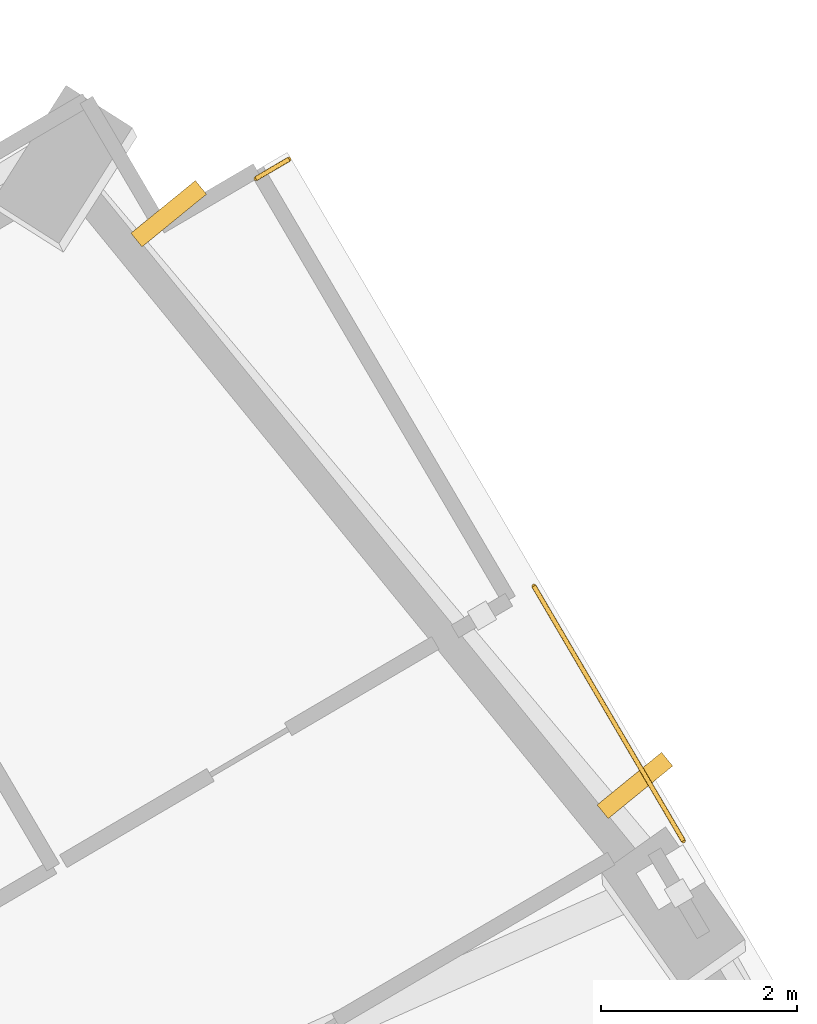
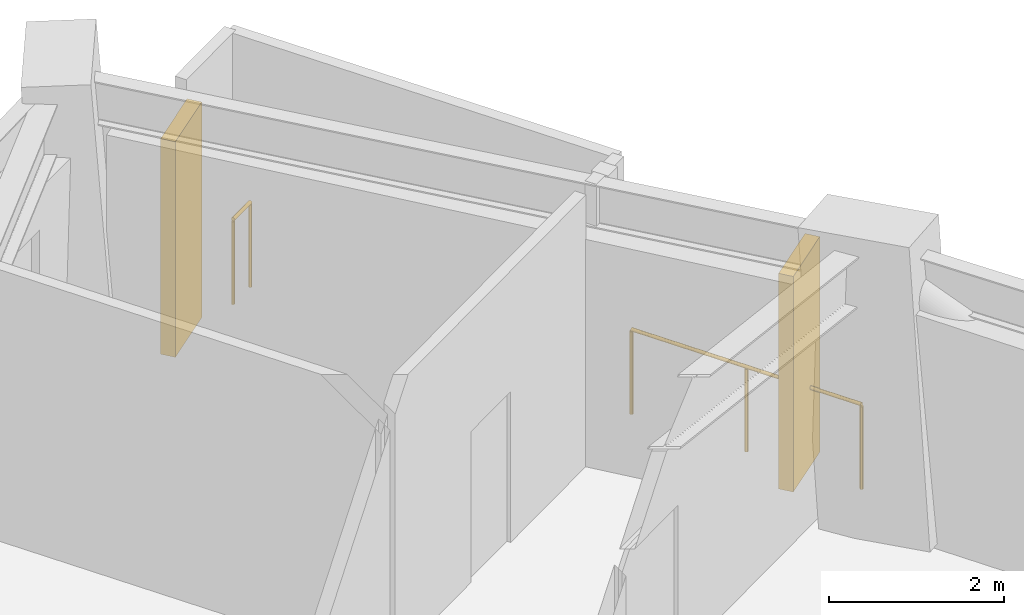
# One storey, part 12 of 12: 2 railings, 2 shading devices.
"""IFC4 building model written with IfcOpenShell, lengths in metres."""

import ifcopenshell
import ifcopenshell.guid

model = None  # the IFC model being written
_history = None  # IfcOwnerHistory: only IFC2X3 demands one
_inside = {}  # id of a spatial element -> (the spatial element, [elements in it])
_under = {}  # id of a project, library or spatial element -> (it, [spatial elements below it])
_declared = {}  # id of a project -> (the project, [libraries it declares])
_typed = {}  # id of a type object -> (the type object, [elements of that type])
_made_of = {}  # id of a material, layer set ... -> (it, [elements and type objects made of it])


def new_model(schema):
    """Start an empty IFC model of exactly this schema.

    Asked for "IFC4X3", IfcOpenShell would pick the latest addendum, in which some entities
    have other attributes; the version numbers below select the first issue.
    IFC2X3 requires an IfcOwnerHistory on every rooted entity: one is made here for all.
    """
    global model, _history
    if schema == "IFC4X3":
        model = ifcopenshell.file(schema_version=(4, 3, 0, 0))
    else:
        model = ifcopenshell.file(schema=schema)
    _inside.clear()
    _under.clear()
    _declared.clear()
    _typed.clear()
    _made_of.clear()
    _history = None
    if model.schema == "IFC2X3":
        org = make("IfcOrganization", Name="unknown")
        user = make(
            "IfcPersonAndOrganization",
            ThePerson=make("IfcPerson", FamilyName="unknown"),
            TheOrganization=org,
        )
        app = make(
            "IfcApplication",
            ApplicationDeveloper=org,
            Version="unknown",
            ApplicationFullName="unknown",
            ApplicationIdentifier="unknown",
        )
        _history = make(
            "IfcOwnerHistory",
            OwningUser=user,
            OwningApplication=app,
            ChangeAction="ADDED",
            CreationDate=0,
        )
    return model


def make(cls, **values):
    """One entity of the class cls with the attributes given. An attribute that is None is left unset."""
    return model.create_entity(
        cls, **{name: value for name, value in values.items() if value is not None}
    )


def rooted(cls, **values):
    """An entity with a GlobalId (a new one), such as an element, a storey or a relation."""
    return make(cls, GlobalId=ifcopenshell.guid.new(), OwnerHistory=_history, **values)


def si_unit(unit_type, name, prefix=None):
    """IfcSIUnit, for example si_unit("LENGTHUNIT", "METRE", prefix="MILLI")."""
    return make("IfcSIUnit", UnitType=unit_type, Prefix=prefix, Name=name)


def assignment(units):
    """IfcUnitAssignment: the units of a project."""
    return None if units is None else make("IfcUnitAssignment", Units=units)


def point(xyz):
    """IfcCartesianPoint."""
    return None if xyz is None else make("IfcCartesianPoint", Coordinates=xyz)


def direction(xyz):
    """IfcDirection."""
    return None if xyz is None else make("IfcDirection", DirectionRatios=xyz)


def frame(location, z_axis=None, x_axis=None):
    """IfcAxis2Placement3D, a coordinate frame: its origin and axes. An axis left out is left unset."""
    return make(
        "IfcAxis2Placement3D",
        Location=point(location),
        Axis=direction(z_axis),
        RefDirection=direction(x_axis),
    )


def frame_2d(location, x_axis=None):
    """IfcAxis2Placement2D, a coordinate frame in the plane: its origin and x axis."""
    return make(
        "IfcAxis2Placement2D", Location=point(location), RefDirection=direction(x_axis)
    )


def origin():
    """The frame at (0, 0, 0) with its axes left unset."""
    return frame((0.0, 0.0, 0.0))


def origin_2d():
    """The frame at (0, 0) in the plane with its x axis left unset."""
    return frame_2d((0.0, 0.0))


def place(relative_to, where):
    """IfcLocalPlacement: puts the frame where relative to a parent placement (None: the world)."""
    return make(
        "IfcLocalPlacement", PlacementRelTo=relative_to, RelativePlacement=where
    )


def context(
    kind, dimensions, precision=None, world=None, true_north=None, identifier=None
):
    """IfcGeometricRepresentationContext, for example the 3D "Model" context."""
    return make(
        "IfcGeometricRepresentationContext",
        ContextIdentifier=identifier,
        ContextType=kind,
        CoordinateSpaceDimension=dimensions,
        Precision=precision,
        WorldCoordinateSystem=world,
        TrueNorth=true_north,
    )


def subcontext(parent, identifier, kind, view, scale=None):
    """IfcGeometricRepresentationSubContext, for example "Body" below "Model"."""
    return make(
        "IfcGeometricRepresentationSubContext",
        ContextIdentifier=identifier,
        ContextType=kind,
        ParentContext=parent,
        TargetScale=scale,
        TargetView=view,
    )


def project(units=None, contexts=None):
    """IfcProject with its units and contexts."""
    return rooted(
        "IfcProject",
        Name="project",
        RepresentationContexts=contexts,
        UnitsInContext=assignment(units),
    )


def spatial(cls, under=None, at=None, **own):
    """A site, building, storey or space (cls), placed at a placement, below another one or the project."""
    s = rooted(cls, ObjectPlacement=at, **own)
    if under is not None:
        _under.setdefault(under.id(), (under, []))[1].append(s)
    return s


def profile(cls, at=None, kind="AREA", **sizes):
    """A parametric profile (cls). Its sizes go by their IFC names, for example OverallWidth=200.0."""
    return make(cls, ProfileType=kind, Position=at, **sizes)


def rectangle(**sizes):
    """IfcRectangleProfileDef."""
    return profile("IfcRectangleProfileDef", **sizes)


def circle(**sizes):
    """IfcCircleProfileDef."""
    return profile("IfcCircleProfileDef", **sizes)


def extrude(swept, where, along, depth):
    """IfcExtrudedAreaSolid: the profile swept, set in the frame where, extruded along a direction by depth."""
    return make(
        "IfcExtrudedAreaSolid",
        SweptArea=swept,
        Position=where,
        ExtrudedDirection=direction(along),
        Depth=depth,
    )


def shape(context_of_items, identifier, shape_type, items):
    """IfcShapeRepresentation: the items that make up one representation, for example the "Body"."""
    return make(
        "IfcShapeRepresentation",
        ContextOfItems=context_of_items,
        RepresentationIdentifier=identifier,
        RepresentationType=shape_type,
        Items=items,
    )


def material(Name=None, Category=None):
    """IfcMaterial."""
    return make("IfcMaterial", Name=Name, Category=Category)


def layer(
    of_material, thickness, ventilated=None, Name=None, Category=None, Priority=None
):
    """IfcMaterialLayer: one layer of a wall or slab, of a material (None: an air gap)."""
    return make(
        "IfcMaterialLayer",
        Material=of_material,
        LayerThickness=thickness,
        IsVentilated=ventilated,
        Name=Name,
        Category=Category,
        Priority=Priority,
    )


def layer_set(layers, Name=None):
    """IfcMaterialLayerSet."""
    return make("IfcMaterialLayerSet", MaterialLayers=layers, LayerSetName=Name)


def made_of(thing, what):
    """Note that an element or type object is made of a material, layer set ...; save() writes the relation."""
    if what is not None:
        _made_of.setdefault(what.id(), (what, []))[1].append(thing)
    return thing


def type_object(cls, material=None, **own):
    """A type object (cls), such as IfcWallType, which elements share."""
    return made_of(rooted(cls, **own), material)


def element(
    cls,
    number,
    at=None,
    inside=None,
    cuts=None,
    type_object=None,
    material=None,
    context=None,
    identifier="Body",
    shape_type=None,
    held_by="IfcProductDefinitionShape",
    body=None,
    shapes=None,
    **own,
):
    """One element of the class cls, such as IfcWall. Its Tag is "e" and its number.

    at: its placement. inside: the storey or other place that contains it. cuts: it is an
    opening in that element (IfcRelVoidsElement). A single representation is given by context,
    identifier, shape_type and body (its items); several are given by shapes. held_by: the class
    of the entity that holds the representations. save() writes the other relations.
    """
    e = rooted(cls, Tag="e%d" % number, ObjectPlacement=at, **own)
    if body is not None:
        shapes = [shape(context, identifier, shape_type, body)]
    if shapes is not None:
        e.Representation = make(held_by, Representations=shapes)
    if inside is not None:
        _inside.setdefault(inside.id(), (inside, []))[1].append(e)
    if cuts is not None:
        rooted(
            "IfcRelVoidsElement", RelatingBuildingElement=cuts, RelatedOpeningElement=e
        )
    if type_object is not None:
        _typed.setdefault(type_object.id(), (type_object, []))[1].append(e)
    return made_of(e, material)


def aggregate(whole, parts):
    """IfcRelAggregates: a whole, such as a stair, and the parts it consists of."""
    return rooted("IfcRelAggregates", RelatingObject=whole, RelatedObjects=parts)


def save(model, path):
    """Write the relations noted so far, then the file.

    IfcRelAggregates (storeys below a building ...), IfcRelContainedInSpatialStructure (elements
    in a storey), IfcRelDefinesByType, IfcRelAssociatesMaterial and IfcRelDeclares: one each for
    every whole, place, type object, material and project.
    """
    for whole, parts in _under.values():
        aggregate(whole, parts)
    for where, things in _inside.values():
        rooted(
            "IfcRelContainedInSpatialStructure",
            RelatedElements=things,
            RelatingStructure=where,
        )
    for kind, things in _typed.values():
        rooted("IfcRelDefinesByType", RelatedObjects=things, RelatingType=kind)
    for what, things in _made_of.values():
        rooted("IfcRelAssociatesMaterial", RelatedObjects=things, RelatingMaterial=what)
    for by, libraries in _declared.values():
        rooted("IfcRelDeclares", RelatingContext=by, RelatedDefinitions=libraries)
    model.write(path)


model = new_model("IFC4")

# Units and contexts
model_context = context("Model", 3, precision=1e-05, world=origin(), true_north=direction((0.0, 1.0)))
body_context = subcontext(model_context, "Body", "Model", "MODEL_VIEW")
ifc_project = project(units=[si_unit("LENGTHUNIT", "METRE"), si_unit("AREAUNIT", "SQUARE_METRE"), si_unit("VOLUMEUNIT", "CUBIC_METRE"), si_unit("PLANEANGLEUNIT", "RADIAN"), si_unit("MASSUNIT", "GRAM", prefix="KILO")], contexts=[model_context])

# Site, building, storey
site_placement = place(None, origin())
site = spatial("IfcSite", under=ifc_project, at=site_placement, CompositionType="ELEMENT")
building_placement = place(site_placement, origin())
building = spatial("IfcBuilding", under=site, at=building_placement, Name="Gaonmaruhae Medical Tower", CompositionType="ELEMENT")
storey_placement = place(building_placement, frame((0.0, 0.0, 153.800048828125)))
storey = spatial("IfcBuildingStorey", under=building, at=storey_placement, Name="L36", CompositionType="ELEMENT", Elevation=153.800048828125)

# Railings
ifc_material_1 = material(Name="Stainless steel 316L and laminated safety glass", Category="steel")
ifc_layer = layer(ifc_material_1, 0.080078125)
ifc_layer_set = layer_set([ifc_layer], Name="Stainless steel 316L and laminated safety glass")
railing_type = type_object("IfcRailingType", Name="GD-120 Outdoor Terrace Safety Glass & Steel Balustrade", PredefinedType="BALUSTRADE", material=ifc_layer_set)
railing_1_placement = place(storey_placement, frame((54.453125, 34.28662109375, 0.0)))
element("IfcRailing", 1, at=railing_1_placement, inside=storey, type_object=railing_type, Name="L36 Perimeter Slab Edge Safety Balustrade 01", PredefinedType="BALUSTRADE", context=body_context, shape_type="SweptSolid", body=[
    extrude(circle(Radius=0.02392578125, at=origin_2d()), frame((0.0, 0.0, 1.17578125), z_axis=(0.862651283186, 0.505799133667, 0.0), x_axis=(-0.505799133667, 0.862651283186, 0.0)), (0.0, 0.0, 1.0), 0.393310546875),
    extrude(circle(Radius=0.02099609375, at=origin_2d()), origin(), (0.0, 0.0, 1.0), 1.15185546875),
    extrude(circle(Radius=0.02099609375, at=origin_2d()), frame((0.33935546875, 0.198974609375, 0.0)), (0.0, 0.0, 1.0), 1.15185546875),
])
railing_2_placement = place(storey_placement, frame((57.2939453125, 30.123291015625, 0.0)))
element("IfcRailing", 2, at=railing_2_placement, inside=storey, type_object=railing_type, Name="L36 Perimeter Slab Edge Safety Balustrade 02", PredefinedType="BALUSTRADE", context=body_context, shape_type="SweptSolid", body=[
    extrude(circle(Radius=0.02392578125, at=origin_2d()), frame((0.0, 0.0, 1.17578125), z_axis=(0.506057953664, -0.862499476831, 0.0), x_axis=(0.862499476831, 0.506057953664, 0.0)), (0.0, 0.0, 1.0), 3.01708984375),
    extrude(circle(Radius=0.02099609375, at=origin_2d()), origin(), (0.0, 0.0, 1.0), 1.15185546875),
    extrude(circle(Radius=0.02099609375, at=origin_2d()), frame((0.763427734375, -1.30126953125, 0.0)), (0.0, 0.0, 1.0), 1.15185546875),
    extrude(circle(Radius=0.02099609375, at=origin_2d()), frame((1.52685546875, -2.602294921875, 0.0)), (0.0, 0.0, 1.0), 1.15185546875),
])

# Shading devices
ifc_material_2 = material(Name="Pigmented coral precast concrete C45/55", Category="concrete")
shading_device_type = type_object("IfcShadingDeviceType", Name="SD-FIN1 Tower Vertical Coral Precast Shading Fin", PredefinedType="USERDEFINED", material=ifc_material_2)
for number, where, z_axis, x_axis, name in (
    (3, (53.5625, 33.928466796875, 0.08251953125), (0.0, 0.0, 1.0), (0.631907566872, -0.775043758074, 0.0), "L36 Vertical Coral Precast Shading Fin E02"),
    (4, (58.32568359375, 28.08642578125, 0.08251953125), (0.0, 0.0, 1.0), (0.631907566872, -0.775043758074, 0.0), "L36 Vertical Coral Precast Shading Fin E02B"),
):
    element("IfcShadingDevice", number, at=place(storey_placement, frame(where, z_axis=z_axis, x_axis=x_axis)), inside=storey, type_object=shading_device_type, Name=name, ObjectType="FIN", PredefinedType="USERDEFINED", context=body_context, shape_type="SweptSolid", body=[
        extrude(rectangle(XDim=0.179931640625, YDim=0.85009765625, at=origin_2d()), origin(), (0.0, 0.0, 1.0), 3.0),
    ])

save(model, "model.ifc")
